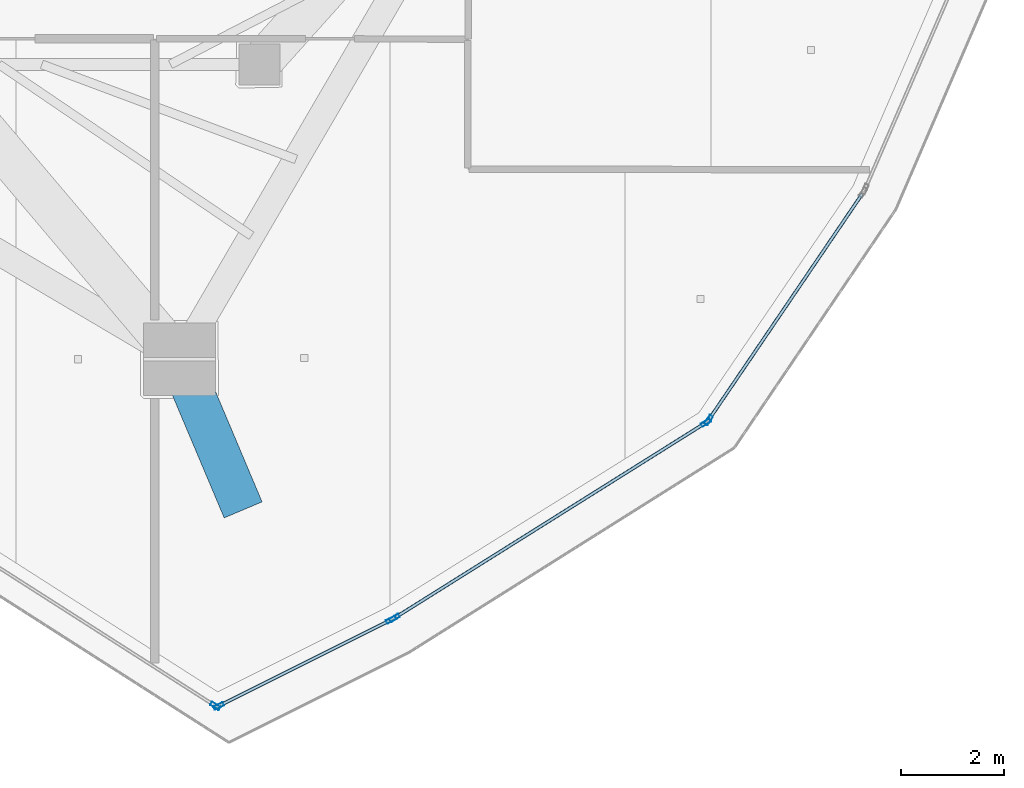
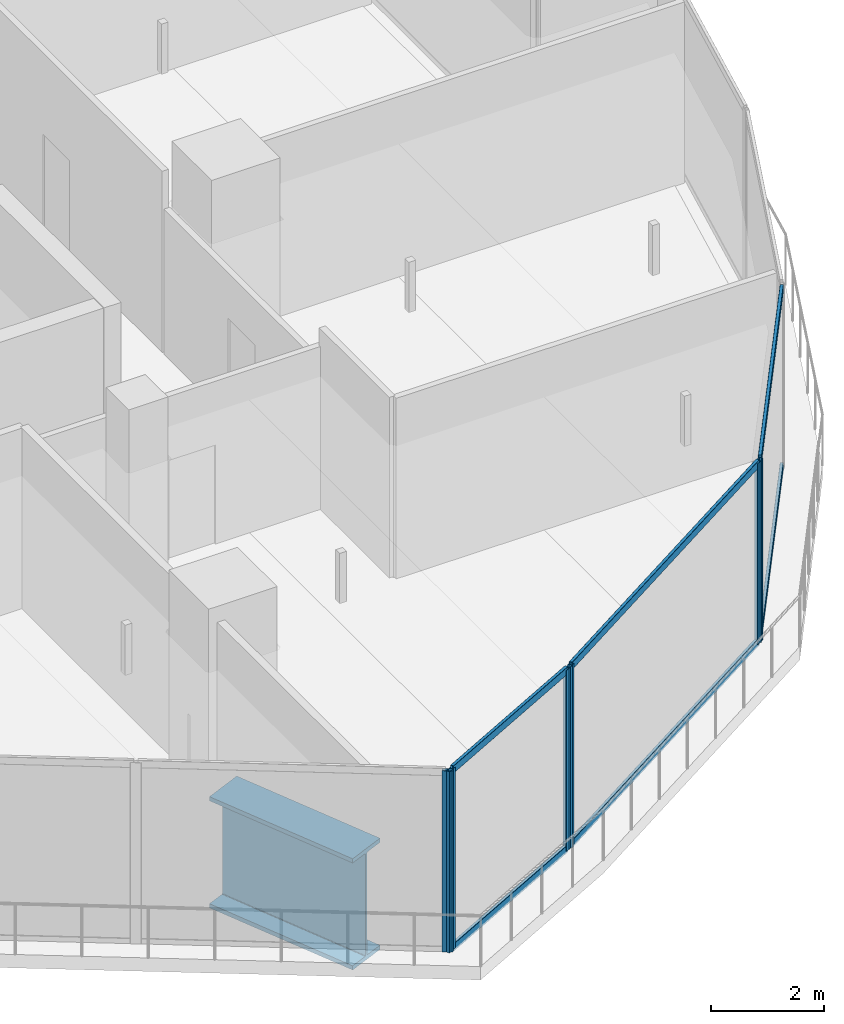
# One storey, part 7 of 29: 12 members, 1 beam, 4 elements without a shape of their own.
"""IFC4 building model written with IfcOpenShell, lengths in metres."""

from ifc_helpers import new_model, si_unit, direction, frame, origin, origin_2d, place, context, subcontext, project, spatial, hollow_rectangle, i_section, extrude, material, layer, layer_set, material_profile, profile_set, type_object, element, aggregate, save


model = new_model("IFC4")

# Units and contexts
model_context = context("Model", 3, precision=1e-05, world=origin(), true_north=direction((0.0, 1.0)))
body_context = subcontext(model_context, "Body", "Model", "MODEL_VIEW")
ifc_project = project(units=[si_unit("LENGTHUNIT", "METRE"), si_unit("AREAUNIT", "SQUARE_METRE"), si_unit("VOLUMEUNIT", "CUBIC_METRE"), si_unit("PLANEANGLEUNIT", "RADIAN"), si_unit("MASSUNIT", "GRAM", prefix="KILO")], contexts=[model_context])

# Site, building, storey
site_placement = place(None, origin())
site = spatial("IfcSite", under=ifc_project, at=site_placement, CompositionType="ELEMENT")
building_placement = place(site_placement, origin())
building = spatial("IfcBuilding", under=site, at=building_placement, Name="Qorvath Tower", CompositionType="ELEMENT")
storey_placement = place(building_placement, frame((0.0, 0.0, 285.0)))
storey = spatial("IfcBuildingStorey", under=building, at=storey_placement, Name="L66", CompositionType="ELEMENT", Elevation=285.0)

# Beam
ifc_material_1 = material(Name="Steel ASTM A572 Grade 50", Category="steel")
ifc_material_profile_1 = material_profile(ifc_material_1, i_section(OverallWidth=0.800048828125, OverallDepth=2.39990234375, WebThickness=0.044921875, FlangeThickness=0.090087890625, FilletRadius=0.02490234375, at=origin_2d()), Name="WTG 2400x800")
ifc_profile_set_1 = profile_set([ifc_material_profile_1], Name="Steel ASTM A572 Grade 50")
beam_type = type_object("IfcBeamType", Name="BM-TG2", PredefinedType="BEAM", material=ifc_profile_set_1)
beam_placement = place(storey_placement, frame((-17.515380859375, -20.1015625, -1.489990234375), z_axis=(-0.3888850492, 0.921286284772, 0.0), x_axis=(-0.921286284772, -0.3888850492, 0.0)))
element("IfcBeam", 1, at=beam_placement, inside=storey, type_object=beam_type, Name="Zone Step Transfer Tie MC3 L66", PredefinedType="BEAM", context=body_context, shape_type="SweptSolid", body=[
    extrude(i_section(OverallWidth=0.800048828125, OverallDepth=2.39990234375, WebThickness=0.044921875, FlangeThickness=0.090087890625, FilletRadius=0.02490234375, at=origin_2d()), origin(), (0.0, 0.0, 1.0), 3.176025390625),
])

# Curtain wall, member
ifc_material_2 = material(Name="Anodised aluminium and triple low-E glass", Category="aluminium")
ifc_layer = layer(ifc_material_2, 0.179931640625)
ifc_layer_set = layer_set([ifc_layer], Name="CW-SYS-4")
curtain_wall_type = type_object("IfcCurtainWallType", Name="CW-SYS-4", PredefinedType="NOTDEFINED", material=ifc_layer_set)
curtain_wall_1_placement = place(storey_placement, origin())
curtain_wall_1 = element("IfcCurtainWall", 2, at=curtain_wall_1_placement, inside=storey, type_object=curtain_wall_type, Name="Curtain Wall CW-4 CW-T-L66-2.1", PredefinedType="NOTDEFINED")
ifc_material_3 = material(Name="Anodised aluminium 6063-T6", Category="aluminium")
ifc_material_profile_2 = material_profile(ifc_material_3, hollow_rectangle(XDim=0.074951171875, YDim=0.199951171875, WallThickness=0.00390625, InnerFilletRadius=0.00390625, OuterFilletRadius=0.008056640625, at=origin_2d()), Name="CWM 200x75")
ifc_profile_set_2 = profile_set([ifc_material_profile_2], Name="Anodised aluminium 6063-T6")
member_type_1 = type_object("IfcMemberType", Name="CWM-200", PredefinedType="MULLION", material=ifc_profile_set_2)
member_1_placement = place(storey_placement, frame((-18.05517578125, -23.908447265625, 0.0), z_axis=(0.0, 0.0, 1.0), x_axis=(0.538532094557, 0.842604998283, 0.0)))
member_1 = element("IfcMember", 3, at=member_1_placement, type_object=member_type_1, Name="CW-4 mullion 8", PredefinedType="MULLION", context=body_context, shape_type="SweptSolid", body=[
    extrude(hollow_rectangle(XDim=0.074951171875, YDim=0.199951171875, WallThickness=0.00390625, InnerFilletRadius=0.00390625, OuterFilletRadius=0.008056640625, at=origin_2d()), origin(), (0.0, 0.0, 1.0), 3.909912109375),
])
aggregate(curtain_wall_1, [member_1])

# Curtain wall, members
curtain_wall_2_placement = place(storey_placement, origin())
curtain_wall_2 = element("IfcCurtainWall", 4, at=curtain_wall_2_placement, inside=storey, type_object=curtain_wall_type, Name="Curtain Wall CW-4 CW-T-L66-3.1", PredefinedType="NOTDEFINED")
member_2_placement = place(storey_placement, frame((-17.990234375, -23.911865234375, 0.0), z_axis=(0.0, 0.0, 1.0), x_axis=(-0.447234528419, 0.894416724234, 0.0)))
member_2 = element("IfcMember", 5, at=member_2_placement, type_object=member_type_1, Name="CW-4 mullion 1", PredefinedType="MULLION", context=body_context, shape_type="SweptSolid", body=[
    extrude(hollow_rectangle(XDim=0.074951171875, YDim=0.199951171875, WallThickness=0.00390625, InnerFilletRadius=0.00390625, OuterFilletRadius=0.008056640625, at=origin_2d()), origin(), (0.0, 0.0, 1.0), 3.909912109375),
])
member_3_placement = place(storey_placement, frame((-14.63916015625, -22.236328125, 0.0), z_axis=(0.0, 0.0, 1.0), x_axis=(-0.447234528419, 0.894416724234, 0.0)))
member_3 = element("IfcMember", 6, at=member_3_placement, type_object=member_type_1, Name="CW-4 mullion 2", PredefinedType="MULLION", context=body_context, shape_type="SweptSolid", body=[
    extrude(hollow_rectangle(XDim=0.074951171875, YDim=0.199951171875, WallThickness=0.00390625, InnerFilletRadius=0.00390625, OuterFilletRadius=0.008056640625, at=origin_2d()), origin(), (0.0, 0.0, 1.0), 3.909912109375),
])

curtain_wall_3_placement = place(storey_placement, origin())
curtain_wall_3 = element("IfcCurtainWall", 7, at=curtain_wall_3_placement, inside=storey, type_object=curtain_wall_type, Name="Curtain Wall CW-4 CW-T-L66-4.1", PredefinedType="NOTDEFINED")
member_4_placement = place(storey_placement, frame((-14.57373046875, -22.199462890625, 0.0), z_axis=(0.0, 0.0, 1.0), x_axis=(-0.531419269597, 0.847108942168, 0.0)))
member_4 = element("IfcMember", 8, at=member_4_placement, type_object=member_type_1, Name="CW-4 mullion 1", PredefinedType="MULLION", context=body_context, shape_type="SweptSolid", body=[
    extrude(hollow_rectangle(XDim=0.074951171875, YDim=0.199951171875, WallThickness=0.00390625, InnerFilletRadius=0.00390625, OuterFilletRadius=0.008056640625, at=origin_2d()), origin(), (0.0, 0.0, 1.0), 3.909912109375),
])
member_5_placement = place(storey_placement, frame((-8.52880859375, -18.407470703125, 0.0), z_axis=(0.0, 0.0, 1.0), x_axis=(-0.531419269597, 0.847108942168, 0.0)))
member_5 = element("IfcMember", 9, at=member_5_placement, type_object=member_type_1, Name="CW-4 mullion 2", PredefinedType="MULLION", context=body_context, shape_type="SweptSolid", body=[
    extrude(hollow_rectangle(XDim=0.074951171875, YDim=0.199951171875, WallThickness=0.00390625, InnerFilletRadius=0.00390625, OuterFilletRadius=0.008056640625, at=origin_2d()), origin(), (0.0, 0.0, 1.0), 3.909912109375),
])

# Curtain wall, member
curtain_wall_4_placement = place(storey_placement, origin())
curtain_wall_4 = element("IfcCurtainWall", 10, at=curtain_wall_4_placement, inside=storey, type_object=curtain_wall_type, Name="Curtain Wall CW-4 CW-T-L66-5.1", PredefinedType="NOTDEFINED")
member_6_placement = place(storey_placement, frame((-8.47607421875, -18.3564453125, 0.0), z_axis=(0.0, 0.0, 1.0), x_axis=(-0.827177497637, 0.561940732999, 0.0)))
member_6 = element("IfcMember", 11, at=member_6_placement, type_object=member_type_1, Name="CW-4 mullion 1", PredefinedType="MULLION", context=body_context, shape_type="SweptSolid", body=[
    extrude(hollow_rectangle(XDim=0.074951171875, YDim=0.199951171875, WallThickness=0.00390625, InnerFilletRadius=0.00390625, OuterFilletRadius=0.008056640625, at=origin_2d()), origin(), (0.0, 0.0, 1.0), 3.909912109375),
])

# Member
ifc_material_4 = material(Name="Anodised aluminium 6063-T6", Category="aluminium")
ifc_material_profile_3 = material_profile(ifc_material_4, hollow_rectangle(XDim=0.06494140625, YDim=0.159912109375, WallThickness=0.00341796875, InnerFilletRadius=0.00341796875, OuterFilletRadius=0.007080078125, at=origin_2d()), Name="CWT 160x65")
ifc_profile_set_3 = profile_set([ifc_material_profile_3], Name="Anodised aluminium 6063-T6")
member_type_2 = type_object("IfcMemberType", Name="CWT-160", PredefinedType="USERDEFINED", material=ifc_profile_set_3)
member_7_placement = place(storey_placement, frame((-17.95654296875, -23.895263671875, 0.032470703125), z_axis=(0.894387292089, 0.447293384424, 0.0), x_axis=(-0.447293384424, 0.894387292089, 0.0)))
member_7 = element("IfcMember", 12, at=member_7_placement, type_object=member_type_2, Name="CW-4 transom 1.1", ObjectType="TRANSOM", PredefinedType="USERDEFINED", context=body_context, shape_type="SweptSolid", body=[
    extrude(hollow_rectangle(XDim=0.06494140625, YDim=0.159912109375, WallThickness=0.00341796875, InnerFilletRadius=0.00341796875, OuterFilletRadius=0.007080078125, at=origin_2d()), origin(), (0.0, 0.0, 1.0), 3.671630859375),
])

member_8_placement = place(storey_placement, frame((-17.95654296875, -23.895263671875, 3.87744140625), z_axis=(0.894387292089, 0.447293384424, 0.0), x_axis=(-0.447293384424, 0.894387292089, 0.0)))
member_8 = element("IfcMember", 13, at=member_8_placement, type_object=member_type_2, Name="CW-4 transom 1.2", ObjectType="TRANSOM", PredefinedType="USERDEFINED", context=body_context, shape_type="SweptSolid", body=[
    extrude(hollow_rectangle(XDim=0.06494140625, YDim=0.159912109375, WallThickness=0.00341796875, InnerFilletRadius=0.00341796875, OuterFilletRadius=0.007080078125, at=origin_2d()), origin(), (0.0, 0.0, 1.0), 3.671630859375),
])

aggregate(curtain_wall_2, [member_2, member_3, member_7, member_8])

member_9_placement = place(storey_placement, frame((-14.5419921875, -22.1796875, 0.032470703125), z_axis=(0.847103570693, 0.5314278319, 0.0), x_axis=(-0.5314278319, 0.847103570693, 0.0)))
member_9 = element("IfcMember", 14, at=member_9_placement, type_object=member_type_2, Name="CW-4 transom 1.1", ObjectType="TRANSOM", PredefinedType="USERDEFINED", context=body_context, shape_type="SweptSolid", body=[
    extrude(hollow_rectangle(XDim=0.06494140625, YDim=0.159912109375, WallThickness=0.00341796875, InnerFilletRadius=0.00341796875, OuterFilletRadius=0.007080078125, at=origin_2d()), origin(), (0.0, 0.0, 1.0), 7.06103515625),
])

member_10_placement = place(storey_placement, frame((-14.5419921875, -22.1796875, 3.87744140625), z_axis=(0.847103570693, 0.5314278319, 0.0), x_axis=(-0.5314278319, 0.847103570693, 0.0)))
member_10 = element("IfcMember", 15, at=member_10_placement, type_object=member_type_2, Name="CW-4 transom 1.2", ObjectType="TRANSOM", PredefinedType="USERDEFINED", context=body_context, shape_type="SweptSolid", body=[
    extrude(hollow_rectangle(XDim=0.06494140625, YDim=0.159912109375, WallThickness=0.00341796875, InnerFilletRadius=0.00341796875, OuterFilletRadius=0.007080078125, at=origin_2d()), origin(), (0.0, 0.0, 1.0), 7.06103515625),
])

aggregate(curtain_wall_3, [member_4, member_5, member_9, member_10])

member_11_placement = place(storey_placement, frame((-8.454833984375, -18.325439453125, 0.032470703125), z_axis=(0.561912969633, 0.827196357921, 0.0), x_axis=(-0.827196357921, 0.561912969633, 0.0)))
member_11 = element("IfcMember", 16, at=member_11_placement, type_object=member_type_2, Name="CW-4 transom 1.1", ObjectType="TRANSOM", PredefinedType="USERDEFINED", context=body_context, shape_type="SweptSolid", body=[
    extrude(hollow_rectangle(XDim=0.06494140625, YDim=0.159912109375, WallThickness=0.00341796875, InnerFilletRadius=0.00341796875, OuterFilletRadius=0.007080078125, at=origin_2d()), origin(), (0.0, 0.0, 1.0), 5.26513671875),
])

member_12_placement = place(storey_placement, frame((-8.454833984375, -18.325439453125, 3.87744140625), z_axis=(0.561912969633, 0.827196357921, 0.0), x_axis=(-0.827196357921, 0.561912969633, 0.0)))
member_12 = element("IfcMember", 17, at=member_12_placement, type_object=member_type_2, Name="CW-4 transom 1.2", ObjectType="TRANSOM", PredefinedType="USERDEFINED", context=body_context, shape_type="SweptSolid", body=[
    extrude(hollow_rectangle(XDim=0.06494140625, YDim=0.159912109375, WallThickness=0.00341796875, InnerFilletRadius=0.00341796875, OuterFilletRadius=0.007080078125, at=origin_2d()), origin(), (0.0, 0.0, 1.0), 5.26513671875),
])

aggregate(curtain_wall_4, [member_6, member_11, member_12])

save(model, "model.ifc")
